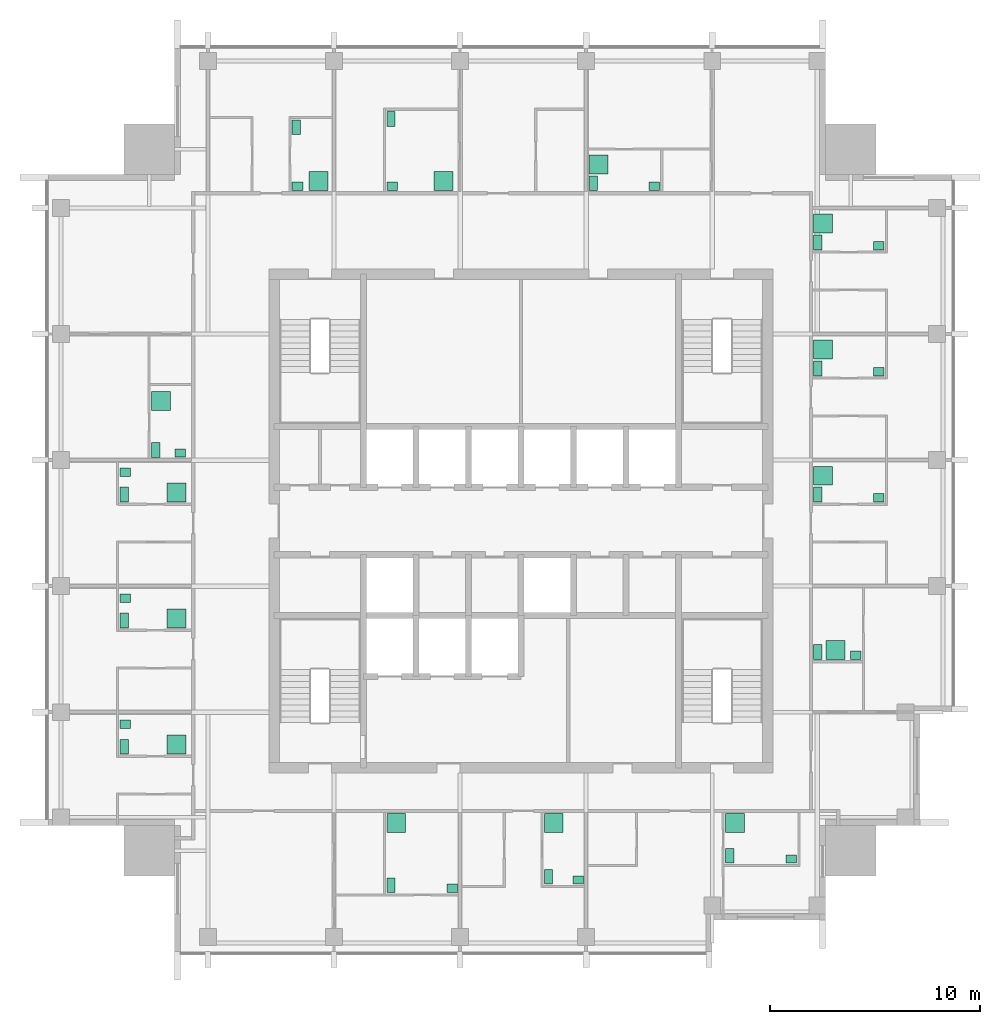
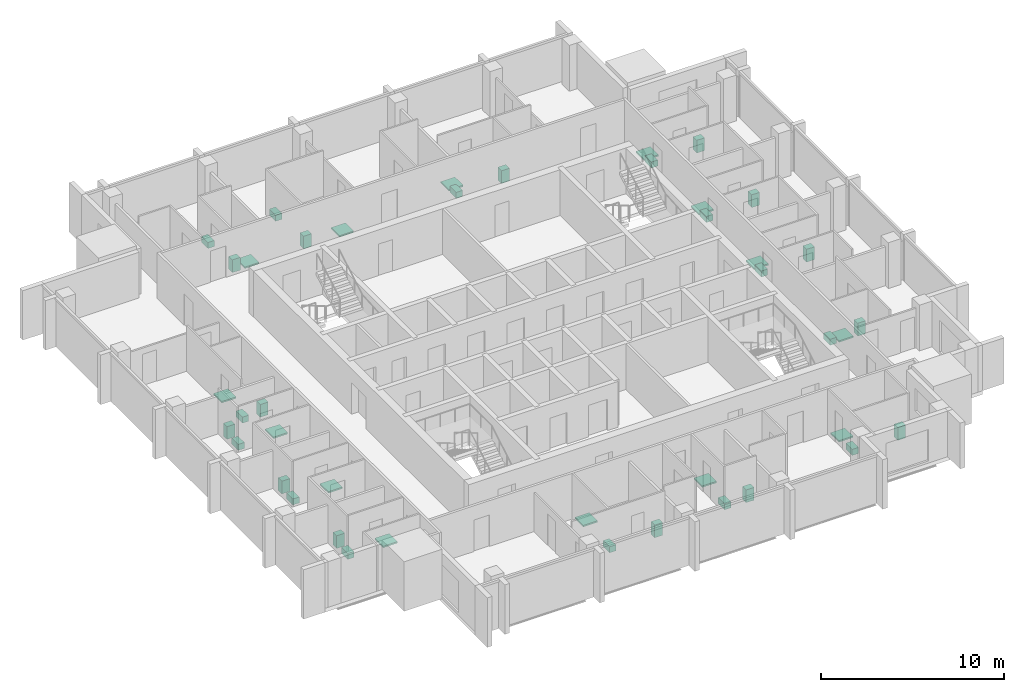
# One storey, part 9 of 9: 42 sanitary terminals.
"""IFC4 building model written with IfcOpenShell, lengths in metres."""

from ifc_helpers import new_model, si_unit, direction, frame, origin, origin_2d, place, context, subcontext, project, spatial, rectangle, extrude, element, save


model = new_model("IFC4")

# Units and contexts
model_context = context("Model", 3, precision=1e-05, world=origin(), true_north=direction((0.0, 1.0)))
body_context = subcontext(model_context, "Body", "Model", "MODEL_VIEW")
ifc_project = project(units=[si_unit("LENGTHUNIT", "METRE"), si_unit("AREAUNIT", "SQUARE_METRE"), si_unit("VOLUMEUNIT", "CUBIC_METRE"), si_unit("PLANEANGLEUNIT", "RADIAN"), si_unit("MASSUNIT", "GRAM", prefix="KILO")], contexts=[model_context])

# Site, building, storey
site_placement = place(None, origin())
site = spatial("IfcSite", under=ifc_project, at=site_placement, CompositionType="ELEMENT")
building_placement = place(site_placement, origin())
building = spatial("IfcBuilding", under=site, at=building_placement, Name="Amberfall Residences", CompositionType="ELEMENT")
storey_placement = place(building_placement, frame((0.0, 0.0, 242.199951171875)))
storey = spatial("IfcBuildingStorey", under=building, at=storey_placement, Name="L64", CompositionType="ELEMENT", Elevation=242.199951171875)

# Sanitary terminals
sanitary_terminal_1_placement = place(storey_placement, frame((68.31005859375, 28.159912109375, 0.0), z_axis=(0.0, 0.0, 1.0), x_axis=(1.0, 0.0, 0.0)))
element("IfcSanitaryTerminal", 1, at=sanitary_terminal_1_placement, inside=storey, Name="Water closet 6401", PredefinedType="TOILETPAN", context=body_context, shape_type="SweptSolid", body=[
    extrude(rectangle(XDim=0.39990234375, YDim=0.699951171875, at=origin_2d()), origin(), (0.0, 0.0, 1.0), 0.39990234375),
])
sanitary_terminal_2_placement = place(storey_placement, frame((71.215087890625, 28.010009765625, 0.0), z_axis=(0.0, 0.0, 1.0), x_axis=(1.0, 0.0, 0.0)))
element("IfcSanitaryTerminal", 2, at=sanitary_terminal_2_placement, inside=storey, Name="Basin 6401", PredefinedType="WASHHANDBASIN", context=body_context, shape_type="SweptSolid", body=[
    extrude(rectangle(XDim=0.5, YDim=0.39990234375, at=origin_2d()), origin(), (0.0, 0.0, 1.0), 0.85009765625),
])
sanitary_terminal_3_placement = place(storey_placement, frame((68.56005859375, 31.114990234375, 0.0), z_axis=(0.0, 0.0, 1.0), x_axis=(1.0, 0.0, 0.0)))
element("IfcSanitaryTerminal", 3, at=sanitary_terminal_3_placement, inside=storey, Name="Shower tray 6401", PredefinedType="SHOWER", context=body_context, shape_type="SweptSolid", body=[
    extrude(rectangle(XDim=0.89990234375, YDim=0.89990234375, at=origin_2d()), origin(), (0.0, 0.0, 1.0), 0.10009765625),
])
sanitary_terminal_4_placement = place(storey_placement, frame((75.81005859375, 28.56005859375, 0.0), z_axis=(0.0, 0.0, 1.0), x_axis=(1.0, 0.0, 0.0)))
element("IfcSanitaryTerminal", 4, at=sanitary_terminal_4_placement, inside=storey, Name="Water closet 6402", PredefinedType="TOILETPAN", context=body_context, shape_type="SweptSolid", body=[
    extrude(rectangle(XDim=0.39990234375, YDim=0.699951171875, at=origin_2d()), origin(), (0.0, 0.0, 1.0), 0.39990234375),
])
sanitary_terminal_5_placement = place(storey_placement, frame((77.215087890625, 28.409912109375, 0.0), z_axis=(0.0, 0.0, 1.0), x_axis=(1.0, 0.0, 0.0)))
element("IfcSanitaryTerminal", 5, at=sanitary_terminal_5_placement, inside=storey, Name="Basin 6402", PredefinedType="WASHHANDBASIN", context=body_context, shape_type="SweptSolid", body=[
    extrude(rectangle(XDim=0.5, YDim=0.39990234375, at=origin_2d()), origin(), (0.0, 0.0, 1.0), 0.85009765625),
])
sanitary_terminal_6_placement = place(storey_placement, frame((76.06005859375, 31.114990234375, 0.0), z_axis=(0.0, 0.0, 1.0), x_axis=(1.0, 0.0, 0.0)))
element("IfcSanitaryTerminal", 6, at=sanitary_terminal_6_placement, inside=storey, Name="Shower tray 6402", PredefinedType="SHOWER", context=body_context, shape_type="SweptSolid", body=[
    extrude(rectangle(XDim=0.89990234375, YDim=0.89990234375, at=origin_2d()), origin(), (0.0, 0.0, 1.0), 0.10009765625),
])
sanitary_terminal_7_placement = place(storey_placement, frame((84.43505859375, 29.56005859375, 0.0), z_axis=(0.0, 0.0, 1.0), x_axis=(1.0, 0.0, 0.0)))
element("IfcSanitaryTerminal", 7, at=sanitary_terminal_7_placement, inside=storey, Name="Water closet 6403", PredefinedType="TOILETPAN", context=body_context, shape_type="SweptSolid", body=[
    extrude(rectangle(XDim=0.39990234375, YDim=0.699951171875, at=origin_2d()), origin(), (0.0, 0.0, 1.0), 0.39990234375),
])
sanitary_terminal_8_placement = place(storey_placement, frame((87.364990234375, 29.409912109375, 0.0), z_axis=(0.0, 0.0, 1.0), x_axis=(1.0, 0.0, 0.0)))
element("IfcSanitaryTerminal", 8, at=sanitary_terminal_8_placement, inside=storey, Name="Basin 6403", PredefinedType="WASHHANDBASIN", context=body_context, shape_type="SweptSolid", body=[
    extrude(rectangle(XDim=0.5, YDim=0.39990234375, at=origin_2d()), origin(), (0.0, 0.0, 1.0), 0.85009765625),
])
sanitary_terminal_9_placement = place(storey_placement, frame((84.68505859375, 31.114990234375, 0.0), z_axis=(0.0, 0.0, 1.0), x_axis=(1.0, 0.0, 0.0)))
element("IfcSanitaryTerminal", 9, at=sanitary_terminal_9_placement, inside=storey, Name="Shower tray 6403", PredefinedType="SHOWER", context=body_context, shape_type="SweptSolid", body=[
    extrude(rectangle(XDim=0.89990234375, YDim=0.89990234375, at=origin_2d()), origin(), (0.0, 0.0, 1.0), 0.10009765625),
])
sanitary_terminal_10_placement = place(storey_placement, frame((88.635009765625, 39.260009765625, 0.0), z_axis=(0.0, 0.0, 1.0), x_axis=(1.0, 0.0, 0.0)))
element("IfcSanitaryTerminal", 10, at=sanitary_terminal_10_placement, inside=storey, Name="Water closet 6404", PredefinedType="TOILETPAN", context=body_context, shape_type="SweptSolid", body=[
    extrude(rectangle(XDim=0.39990234375, YDim=0.699951171875, at=origin_2d()), origin(), (0.0, 0.0, 1.0), 0.39990234375),
])
sanitary_terminal_11_placement = place(storey_placement, frame((90.43994140625, 39.110107421875, 0.0), z_axis=(0.0, 0.0, 1.0), x_axis=(1.0, 0.0, 0.0)))
element("IfcSanitaryTerminal", 11, at=sanitary_terminal_11_placement, inside=storey, Name="Basin 6404", PredefinedType="WASHHANDBASIN", context=body_context, shape_type="SweptSolid", body=[
    extrude(rectangle(XDim=0.5, YDim=0.39990234375, at=origin_2d()), origin(), (0.0, 0.0, 1.0), 0.85009765625),
])
sanitary_terminal_12_placement = place(storey_placement, frame((89.4658203125, 39.360107421875, 0.0), z_axis=(0.0, 0.0, 1.0), x_axis=(1.0, 0.0, 0.0)))
element("IfcSanitaryTerminal", 12, at=sanitary_terminal_12_placement, inside=storey, Name="Shower tray 6404", PredefinedType="SHOWER", context=body_context, shape_type="SweptSolid", body=[
    extrude(rectangle(XDim=0.89990234375, YDim=0.89990234375, at=origin_2d()), origin(), (0.0, 0.0, 1.0), 0.10009765625),
])
sanitary_terminal_13_placement = place(storey_placement, frame((88.635009765625, 46.760009765625, 0.0), z_axis=(0.0, 0.0, 1.0), x_axis=(1.0, 0.0, 0.0)))
element("IfcSanitaryTerminal", 13, at=sanitary_terminal_13_placement, inside=storey, Name="Water closet 6405", PredefinedType="TOILETPAN", context=body_context, shape_type="SweptSolid", body=[
    extrude(rectangle(XDim=0.39990234375, YDim=0.699951171875, at=origin_2d()), origin(), (0.0, 0.0, 1.0), 0.39990234375),
])
sanitary_terminal_14_placement = place(storey_placement, frame((91.5400390625, 46.610107421875, 0.0), z_axis=(0.0, 0.0, 1.0), x_axis=(1.0, 0.0, 0.0)))
element("IfcSanitaryTerminal", 14, at=sanitary_terminal_14_placement, inside=storey, Name="Basin 6405", PredefinedType="WASHHANDBASIN", context=body_context, shape_type="SweptSolid", body=[
    extrude(rectangle(XDim=0.5, YDim=0.39990234375, at=origin_2d()), origin(), (0.0, 0.0, 1.0), 0.85009765625),
])
sanitary_terminal_15_placement = place(storey_placement, frame((88.885009765625, 47.65576171875, 0.0), z_axis=(0.0, 0.0, 1.0), x_axis=(1.0, 0.0, 0.0)))
element("IfcSanitaryTerminal", 15, at=sanitary_terminal_15_placement, inside=storey, Name="Shower tray 6405", PredefinedType="SHOWER", context=body_context, shape_type="SweptSolid", body=[
    extrude(rectangle(XDim=0.89990234375, YDim=0.89990234375, at=origin_2d()), origin(), (0.0, 0.0, 1.0), 0.10009765625),
])
sanitary_terminal_16_placement = place(storey_placement, frame((88.635009765625, 52.760009765625, 0.0), z_axis=(0.0, 0.0, 1.0), x_axis=(1.0, 0.0, 0.0)))
element("IfcSanitaryTerminal", 16, at=sanitary_terminal_16_placement, inside=storey, Name="Water closet 6406", PredefinedType="TOILETPAN", context=body_context, shape_type="SweptSolid", body=[
    extrude(rectangle(XDim=0.39990234375, YDim=0.699951171875, at=origin_2d()), origin(), (0.0, 0.0, 1.0), 0.39990234375),
])
sanitary_terminal_17_placement = place(storey_placement, frame((91.5400390625, 52.610107421875, 0.0), z_axis=(0.0, 0.0, 1.0), x_axis=(1.0, 0.0, 0.0)))
element("IfcSanitaryTerminal", 17, at=sanitary_terminal_17_placement, inside=storey, Name="Basin 6406", PredefinedType="WASHHANDBASIN", context=body_context, shape_type="SweptSolid", body=[
    extrude(rectangle(XDim=0.5, YDim=0.39990234375, at=origin_2d()), origin(), (0.0, 0.0, 1.0), 0.85009765625),
])
sanitary_terminal_18_placement = place(storey_placement, frame((88.885009765625, 53.65576171875, 0.0), z_axis=(0.0, 0.0, 1.0), x_axis=(1.0, 0.0, 0.0)))
element("IfcSanitaryTerminal", 18, at=sanitary_terminal_18_placement, inside=storey, Name="Shower tray 6406", PredefinedType="SHOWER", context=body_context, shape_type="SweptSolid", body=[
    extrude(rectangle(XDim=0.89990234375, YDim=0.89990234375, at=origin_2d()), origin(), (0.0, 0.0, 1.0), 0.10009765625),
])
sanitary_terminal_19_placement = place(storey_placement, frame((88.635009765625, 58.760009765625, 0.0), z_axis=(0.0, 0.0, 1.0), x_axis=(1.0, 0.0, 0.0)))
element("IfcSanitaryTerminal", 19, at=sanitary_terminal_19_placement, inside=storey, Name="Water closet 6407", PredefinedType="TOILETPAN", context=body_context, shape_type="SweptSolid", body=[
    extrude(rectangle(XDim=0.39990234375, YDim=0.699951171875, at=origin_2d()), origin(), (0.0, 0.0, 1.0), 0.39990234375),
])
sanitary_terminal_20_placement = place(storey_placement, frame((91.5400390625, 58.610107421875, 0.0), z_axis=(0.0, 0.0, 1.0), x_axis=(1.0, 0.0, 0.0)))
element("IfcSanitaryTerminal", 20, at=sanitary_terminal_20_placement, inside=storey, Name="Basin 6407", PredefinedType="WASHHANDBASIN", context=body_context, shape_type="SweptSolid", body=[
    extrude(rectangle(XDim=0.5, YDim=0.39990234375, at=origin_2d()), origin(), (0.0, 0.0, 1.0), 0.85009765625),
])
sanitary_terminal_21_placement = place(storey_placement, frame((88.885009765625, 59.65576171875, 0.0), z_axis=(0.0, 0.0, 1.0), x_axis=(1.0, 0.0, 0.0)))
element("IfcSanitaryTerminal", 21, at=sanitary_terminal_21_placement, inside=storey, Name="Shower tray 6407", PredefinedType="SHOWER", context=body_context, shape_type="SweptSolid", body=[
    extrude(rectangle(XDim=0.89990234375, YDim=0.89990234375, at=origin_2d()), origin(), (0.0, 0.0, 1.0), 0.10009765625),
])
sanitary_terminal_22_placement = place(storey_placement, frame((63.81005859375, 64.239990234375, 0.0), z_axis=(0.0, 0.0, 1.0), x_axis=(1.0, 0.0, 0.0)))
element("IfcSanitaryTerminal", 22, at=sanitary_terminal_22_placement, inside=storey, Name="Water closet 6408", PredefinedType="TOILETPAN", context=body_context, shape_type="SweptSolid", body=[
    extrude(rectangle(XDim=0.39990234375, YDim=0.699951171875, at=origin_2d()), origin(), (0.0, 0.0, 1.0), 0.39990234375),
])
sanitary_terminal_23_placement = place(storey_placement, frame((63.860107421875, 61.43505859375, 0.0), z_axis=(0.0, 0.0, 1.0), x_axis=(1.0, 0.0, 0.0)))
element("IfcSanitaryTerminal", 23, at=sanitary_terminal_23_placement, inside=storey, Name="Basin 6408", PredefinedType="WASHHANDBASIN", context=body_context, shape_type="SweptSolid", body=[
    extrude(rectangle(XDim=0.5, YDim=0.39990234375, at=origin_2d()), origin(), (0.0, 0.0, 1.0), 0.85009765625),
])
sanitary_terminal_24_placement = place(storey_placement, frame((64.855712890625, 61.68505859375, 0.0), z_axis=(0.0, 0.0, 1.0), x_axis=(1.0, 0.0, 0.0)))
element("IfcSanitaryTerminal", 24, at=sanitary_terminal_24_placement, inside=storey, Name="Shower tray 6408", PredefinedType="SHOWER", context=body_context, shape_type="SweptSolid", body=[
    extrude(rectangle(XDim=0.89990234375, YDim=0.89990234375, at=origin_2d()), origin(), (0.0, 0.0, 1.0), 0.10009765625),
])
sanitary_terminal_25_placement = place(storey_placement, frame((68.31005859375, 64.639892578125, 0.0), z_axis=(0.0, 0.0, 1.0), x_axis=(1.0, 0.0, 0.0)))
element("IfcSanitaryTerminal", 25, at=sanitary_terminal_25_placement, inside=storey, Name="Water closet 6409", PredefinedType="TOILETPAN", context=body_context, shape_type="SweptSolid", body=[
    extrude(rectangle(XDim=0.39990234375, YDim=0.699951171875, at=origin_2d()), origin(), (0.0, 0.0, 1.0), 0.39990234375),
])
sanitary_terminal_26_placement = place(storey_placement, frame((68.360107421875, 61.43505859375, 0.0), z_axis=(0.0, 0.0, 1.0), x_axis=(1.0, 0.0, 0.0)))
element("IfcSanitaryTerminal", 26, at=sanitary_terminal_26_placement, inside=storey, Name="Basin 6409", PredefinedType="WASHHANDBASIN", context=body_context, shape_type="SweptSolid", body=[
    extrude(rectangle(XDim=0.5, YDim=0.39990234375, at=origin_2d()), origin(), (0.0, 0.0, 1.0), 0.85009765625),
])
sanitary_terminal_27_placement = place(storey_placement, frame((70.814453125, 61.68505859375, 0.0), z_axis=(0.0, 0.0, 1.0), x_axis=(1.0, 0.0, 0.0)))
element("IfcSanitaryTerminal", 27, at=sanitary_terminal_27_placement, inside=storey, Name="Shower tray 6409", PredefinedType="SHOWER", context=body_context, shape_type="SweptSolid", body=[
    extrude(rectangle(XDim=0.89990234375, YDim=0.89990234375, at=origin_2d()), origin(), (0.0, 0.0, 1.0), 0.10009765625),
])
sanitary_terminal_28_placement = place(storey_placement, frame((77.93505859375, 61.5849609375, 0.0), z_axis=(0.0, 0.0, 1.0), x_axis=(1.0, 0.0, 0.0)))
element("IfcSanitaryTerminal", 28, at=sanitary_terminal_28_placement, inside=storey, Name="Water closet 6410", PredefinedType="TOILETPAN", context=body_context, shape_type="SweptSolid", body=[
    extrude(rectangle(XDim=0.39990234375, YDim=0.699951171875, at=origin_2d()), origin(), (0.0, 0.0, 1.0), 0.39990234375),
])
sanitary_terminal_29_placement = place(storey_placement, frame((80.840087890625, 61.43505859375, 0.0), z_axis=(0.0, 0.0, 1.0), x_axis=(1.0, 0.0, 0.0)))
element("IfcSanitaryTerminal", 29, at=sanitary_terminal_29_placement, inside=storey, Name="Basin 6410", PredefinedType="WASHHANDBASIN", context=body_context, shape_type="SweptSolid", body=[
    extrude(rectangle(XDim=0.5, YDim=0.39990234375, at=origin_2d()), origin(), (0.0, 0.0, 1.0), 0.85009765625),
])
sanitary_terminal_30_placement = place(storey_placement, frame((78.18505859375, 62.480712890625, 0.0), z_axis=(0.0, 0.0, 1.0), x_axis=(1.0, 0.0, 0.0)))
element("IfcSanitaryTerminal", 30, at=sanitary_terminal_30_placement, inside=storey, Name="Shower tray 6410", PredefinedType="SHOWER", context=body_context, shape_type="SweptSolid", body=[
    extrude(rectangle(XDim=0.89990234375, YDim=0.89990234375, at=origin_2d()), origin(), (0.0, 0.0, 1.0), 0.10009765625),
])
sanitary_terminal_31_placement = place(storey_placement, frame((55.610107421875, 34.760009765625, 0.0), z_axis=(0.0, 0.0, 1.0), x_axis=(1.0, 0.0, 0.0)))
element("IfcSanitaryTerminal", 31, at=sanitary_terminal_31_placement, inside=storey, Name="Water closet 6411", PredefinedType="TOILETPAN", context=body_context, shape_type="SweptSolid", body=[
    extrude(rectangle(XDim=0.39990234375, YDim=0.699951171875, at=origin_2d()), origin(), (0.0, 0.0, 1.0), 0.39990234375),
])
sanitary_terminal_32_placement = place(storey_placement, frame((55.659912109375, 35.822509765625, 0.0), z_axis=(0.0, 0.0, 1.0), x_axis=(1.0, 0.0, 0.0)))
element("IfcSanitaryTerminal", 32, at=sanitary_terminal_32_placement, inside=storey, Name="Basin 6411", PredefinedType="WASHHANDBASIN", context=body_context, shape_type="SweptSolid", body=[
    extrude(rectangle(XDim=0.5, YDim=0.39990234375, at=origin_2d()), origin(), (0.0, 0.0, 1.0), 0.85009765625),
])
sanitary_terminal_33_placement = place(storey_placement, frame((58.091796875, 34.860107421875, 0.0), z_axis=(0.0, 0.0, 1.0), x_axis=(1.0, 0.0, 0.0)))
element("IfcSanitaryTerminal", 33, at=sanitary_terminal_33_placement, inside=storey, Name="Shower tray 6411", PredefinedType="SHOWER", context=body_context, shape_type="SweptSolid", body=[
    extrude(rectangle(XDim=0.89990234375, YDim=0.89990234375, at=origin_2d()), origin(), (0.0, 0.0, 1.0), 0.10009765625),
])
sanitary_terminal_34_placement = place(storey_placement, frame((55.610107421875, 40.760009765625, 0.0), z_axis=(0.0, 0.0, 1.0), x_axis=(1.0, 0.0, 0.0)))
element("IfcSanitaryTerminal", 34, at=sanitary_terminal_34_placement, inside=storey, Name="Water closet 6412", PredefinedType="TOILETPAN", context=body_context, shape_type="SweptSolid", body=[
    extrude(rectangle(XDim=0.39990234375, YDim=0.699951171875, at=origin_2d()), origin(), (0.0, 0.0, 1.0), 0.39990234375),
])
sanitary_terminal_35_placement = place(storey_placement, frame((55.659912109375, 41.822509765625, 0.0), z_axis=(0.0, 0.0, 1.0), x_axis=(1.0, 0.0, 0.0)))
element("IfcSanitaryTerminal", 35, at=sanitary_terminal_35_placement, inside=storey, Name="Basin 6412", PredefinedType="WASHHANDBASIN", context=body_context, shape_type="SweptSolid", body=[
    extrude(rectangle(XDim=0.5, YDim=0.39990234375, at=origin_2d()), origin(), (0.0, 0.0, 1.0), 0.85009765625),
])
sanitary_terminal_36_placement = place(storey_placement, frame((58.091796875, 40.860107421875, 0.0), z_axis=(0.0, 0.0, 1.0), x_axis=(1.0, 0.0, 0.0)))
element("IfcSanitaryTerminal", 36, at=sanitary_terminal_36_placement, inside=storey, Name="Shower tray 6412", PredefinedType="SHOWER", context=body_context, shape_type="SweptSolid", body=[
    extrude(rectangle(XDim=0.89990234375, YDim=0.89990234375, at=origin_2d()), origin(), (0.0, 0.0, 1.0), 0.10009765625),
])
sanitary_terminal_37_placement = place(storey_placement, frame((55.610107421875, 46.760009765625, 0.0), z_axis=(0.0, 0.0, 1.0), x_axis=(1.0, 0.0, 0.0)))
element("IfcSanitaryTerminal", 37, at=sanitary_terminal_37_placement, inside=storey, Name="Water closet 6413", PredefinedType="TOILETPAN", context=body_context, shape_type="SweptSolid", body=[
    extrude(rectangle(XDim=0.39990234375, YDim=0.699951171875, at=origin_2d()), origin(), (0.0, 0.0, 1.0), 0.39990234375),
])
sanitary_terminal_38_placement = place(storey_placement, frame((55.659912109375, 47.822509765625, 0.0), z_axis=(0.0, 0.0, 1.0), x_axis=(1.0, 0.0, 0.0)))
element("IfcSanitaryTerminal", 38, at=sanitary_terminal_38_placement, inside=storey, Name="Basin 6413", PredefinedType="WASHHANDBASIN", context=body_context, shape_type="SweptSolid", body=[
    extrude(rectangle(XDim=0.5, YDim=0.39990234375, at=origin_2d()), origin(), (0.0, 0.0, 1.0), 0.85009765625),
])
sanitary_terminal_39_placement = place(storey_placement, frame((58.091796875, 46.860107421875, 0.0), z_axis=(0.0, 0.0, 1.0), x_axis=(1.0, 0.0, 0.0)))
element("IfcSanitaryTerminal", 39, at=sanitary_terminal_39_placement, inside=storey, Name="Shower tray 6413", PredefinedType="SHOWER", context=body_context, shape_type="SweptSolid", body=[
    extrude(rectangle(XDim=0.89990234375, YDim=0.89990234375, at=origin_2d()), origin(), (0.0, 0.0, 1.0), 0.10009765625),
])
sanitary_terminal_40_placement = place(storey_placement, frame((57.110107421875, 48.885009765625, 0.0), z_axis=(0.0, 0.0, 1.0), x_axis=(1.0, 0.0, 0.0)))
element("IfcSanitaryTerminal", 40, at=sanitary_terminal_40_placement, inside=storey, Name="Water closet 6414", PredefinedType="TOILETPAN", context=body_context, shape_type="SweptSolid", body=[
    extrude(rectangle(XDim=0.39990234375, YDim=0.699951171875, at=origin_2d()), origin(), (0.0, 0.0, 1.0), 0.39990234375),
])
sanitary_terminal_41_placement = place(storey_placement, frame((58.2890625, 48.735107421875, 0.0), z_axis=(0.0, 0.0, 1.0), x_axis=(1.0, 0.0, 0.0)))
element("IfcSanitaryTerminal", 41, at=sanitary_terminal_41_placement, inside=storey, Name="Basin 6414", PredefinedType="WASHHANDBASIN", context=body_context, shape_type="SweptSolid", body=[
    extrude(rectangle(XDim=0.5, YDim=0.39990234375, at=origin_2d()), origin(), (0.0, 0.0, 1.0), 0.85009765625),
])
sanitary_terminal_42_placement = place(storey_placement, frame((57.360107421875, 51.216796875, 0.0), z_axis=(0.0, 0.0, 1.0), x_axis=(1.0, 0.0, 0.0)))
element("IfcSanitaryTerminal", 42, at=sanitary_terminal_42_placement, inside=storey, Name="Shower tray 6414", PredefinedType="SHOWER", context=body_context, shape_type="SweptSolid", body=[
    extrude(rectangle(XDim=0.89990234375, YDim=0.89990234375, at=origin_2d()), origin(), (0.0, 0.0, 1.0), 0.10009765625),
])

save(model, "model.ifc")
